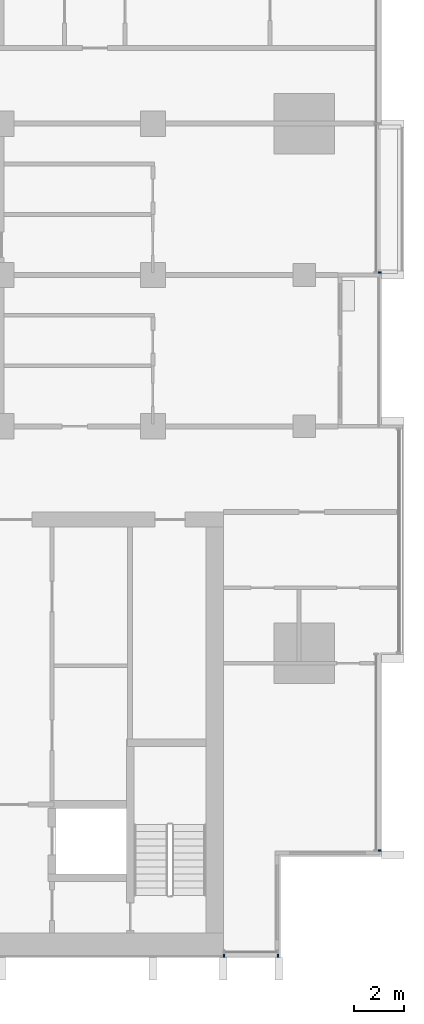
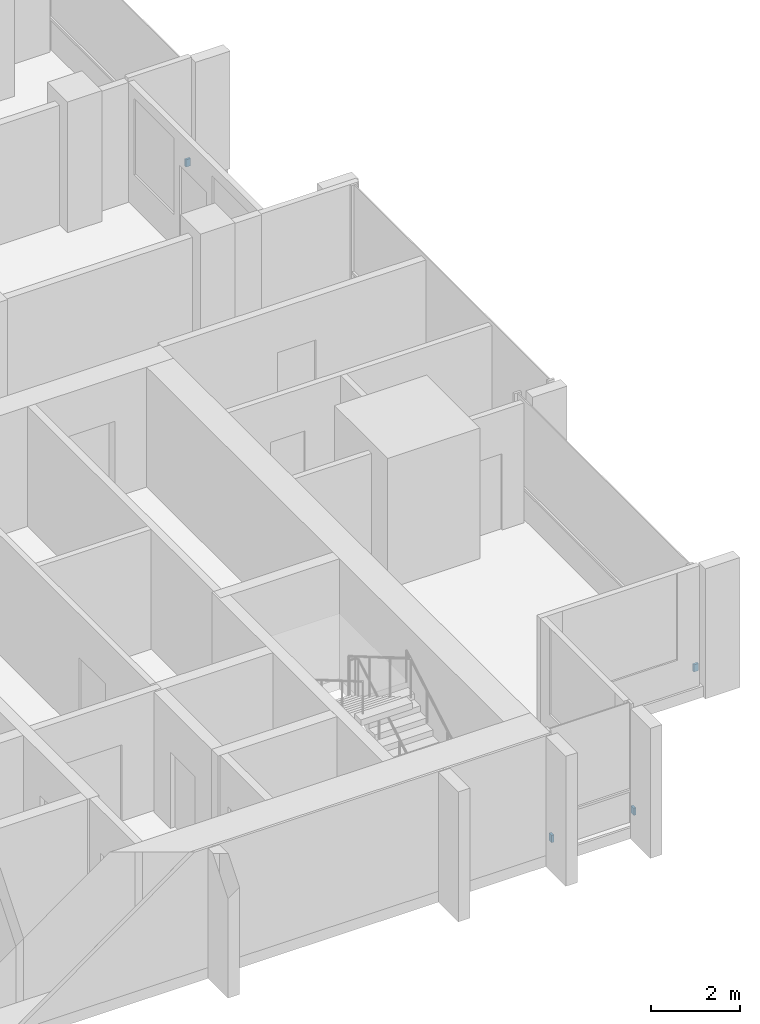
# One storey, part 13 of 16: 4 discrete accessories.
"""IFC4 building model written with IfcOpenShell, lengths in metres."""

from ifc_helpers import new_model, si_unit, direction, frame, origin, origin_2d, place, context, subcontext, project, spatial, rectangle, extrude, material, type_object, element, save


model = new_model("IFC4")

# Units and contexts
model_context = context("Model", 3, precision=1e-05, world=origin(), true_north=direction((0.0, 1.0)))
body_context = subcontext(model_context, "Body", "Model", "MODEL_VIEW")
ifc_project = project(units=[si_unit("LENGTHUNIT", "METRE"), si_unit("AREAUNIT", "SQUARE_METRE"), si_unit("VOLUMEUNIT", "CUBIC_METRE"), si_unit("PLANEANGLEUNIT", "RADIAN"), si_unit("MASSUNIT", "GRAM", prefix="KILO")], contexts=[model_context])

# Site, building, storey
site_placement = place(None, origin())
site = spatial("IfcSite", under=ifc_project, at=site_placement, CompositionType="ELEMENT")
building_placement = place(site_placement, origin())
building = spatial("IfcBuilding", under=site, at=building_placement, Name="Finial Court Residences", CompositionType="ELEMENT")
storey_placement = place(building_placement, frame((0.0, 0.0, 163.699951171875)))
storey = spatial("IfcBuildingStorey", under=building, at=storey_placement, Name="L40", CompositionType="ELEMENT", Elevation=163.699951171875)

# Discrete accessories
ifc_material = material(Name="Stainless steel 316", Category="steel")
discrete_accessory_type = type_object("IfcDiscreteAccessoryType", Name="Fin bracket, stainless steel 60 x 122 x 200", PredefinedType="BRACKET", material=ifc_material)
for number, where, z_axis, x_axis, name in (
    (1, (19.498779296875, -21.320068359375, 0.30029296875), (0.0, 0.0, 1.0), (1.0, 0.0, 0.0), "E-L40-FIN-E7-BRK"),
    (2, (19.498779296875, 1.60498046875, 0.30029296875), (0.0, 0.0, 1.0), (1.0, 0.0, 0.0), "E-L40-FIN-E10-BRK"),
):
    element("IfcDiscreteAccessory", number, at=place(storey_placement, frame(where, z_axis=z_axis, x_axis=x_axis)), inside=storey, type_object=discrete_accessory_type, Name=name, PredefinedType="BRACKET", context=body_context, shape_type="SweptSolid", body=[
        extrude(rectangle(XDim=0.12255859375, YDim=0.06005859375, at=origin_2d()), origin(), (0.0, 0.0, 1.0), 0.199951171875),
    ])
for number, where, z_axis, x_axis, name in (
    (3, (13.330078125, -25.498779296875, 0.30029296875), (0.0, 0.0, 1.0), (1.0, 0.0, 0.0), "E-L40-FIN-S20-BRK"),
    (4, (15.469970703125, -25.498779296875, 0.30029296875), (0.0, 0.0, 1.0), (1.0, 0.0, 0.0), "E-L40-FIN-S21-BRK"),
):
    element("IfcDiscreteAccessory", number, at=place(storey_placement, frame(where, z_axis=z_axis, x_axis=x_axis)), inside=storey, type_object=discrete_accessory_type, Name=name, PredefinedType="BRACKET", context=body_context, shape_type="SweptSolid", body=[
        extrude(rectangle(XDim=0.06005859375, YDim=0.12255859375, at=origin_2d()), origin(), (0.0, 0.0, 1.0), 0.199951171875),
    ])

save(model, "model.ifc")
